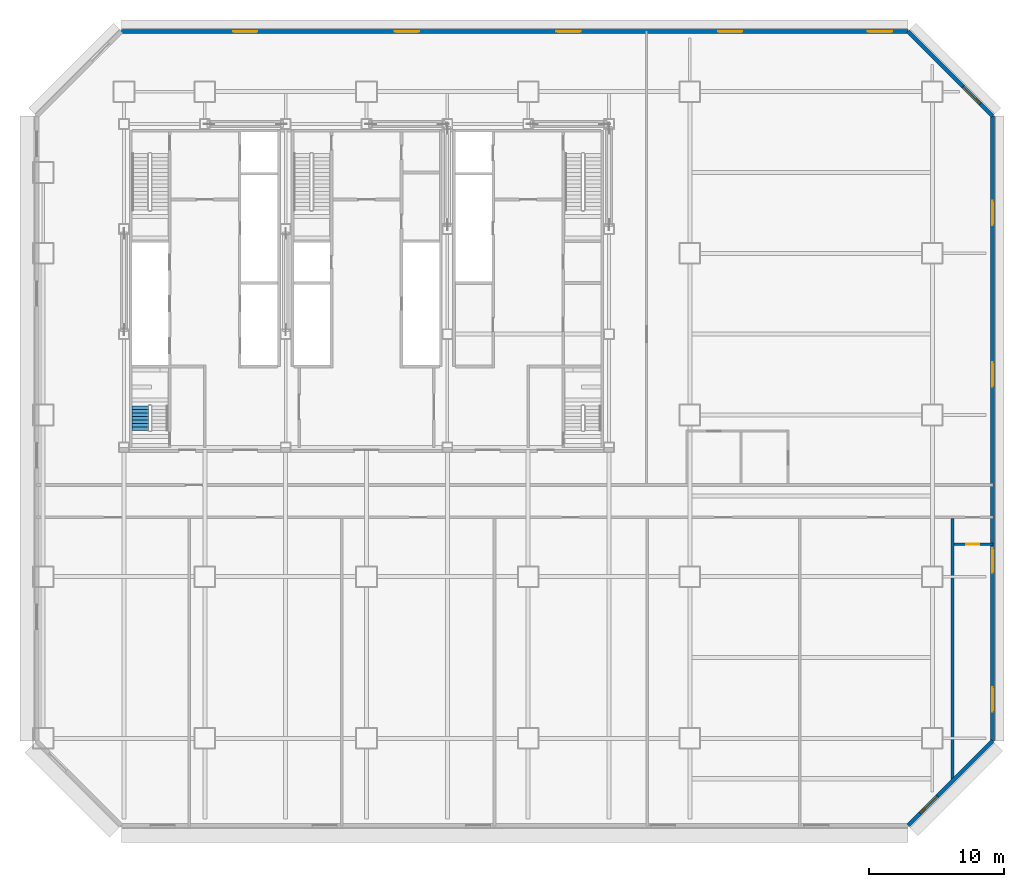
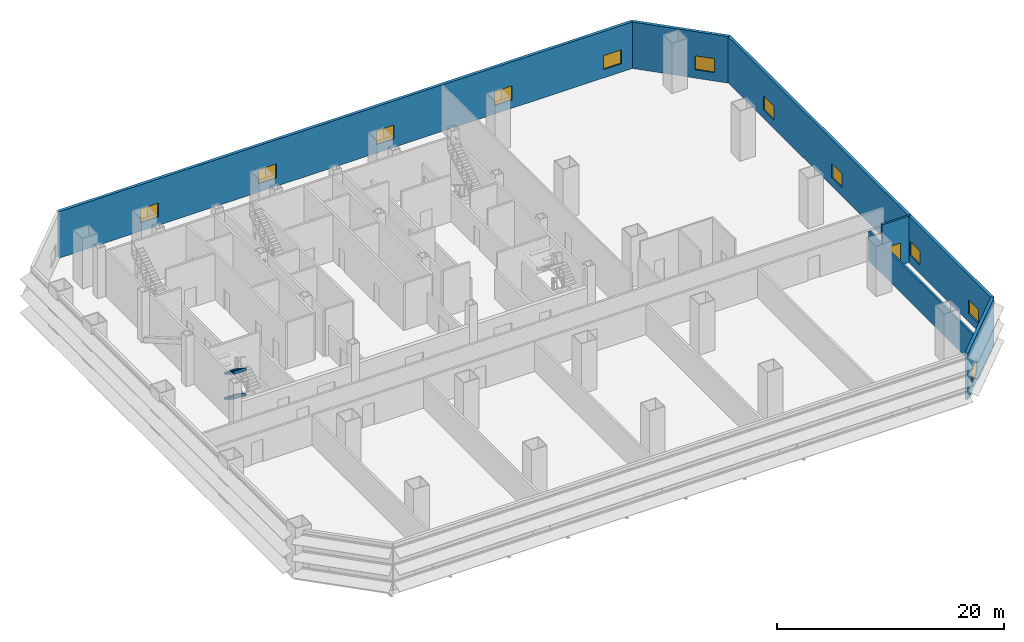
# One storey, part 6 of 10: 11 windows, 6 walls, 2 stair flights, 1 door, 12 openings, 1 element without a shape of its own.
"""IFC4 building model written with IfcOpenShell, lengths in metres."""

from ifc_helpers import new_model, si_unit, direction, frame, frame_2d, origin, place, context, subcontext, project, spatial, polyline, rectangle, outline, extrude, material, layer, layer_set, type_object, element, fill, aggregate, save


model = new_model("IFC4")

# Units and contexts
model_context = context("Model", 3, precision=1e-05, world=origin(), true_north=direction((0.0, 1.0)))
body_context = subcontext(model_context, "Body", "Model", "MODEL_VIEW")
ifc_project = project(units=[si_unit("LENGTHUNIT", "METRE"), si_unit("AREAUNIT", "SQUARE_METRE"), si_unit("VOLUMEUNIT", "CUBIC_METRE"), si_unit("PLANEANGLEUNIT", "RADIAN"), si_unit("MASSUNIT", "GRAM", prefix="KILO")], contexts=[model_context])

# Site, building, storey
site_placement = place(None, origin())
site = spatial("IfcSite", under=ifc_project, at=site_placement, CompositionType="ELEMENT")
building_placement = place(site_placement, origin())
building = spatial("IfcBuilding", under=site, at=building_placement, Name="Sorahane Residences", CompositionType="ELEMENT")
storey_placement = place(building_placement, frame((0.0, 0.0, 15.0)))
storey = spatial("IfcBuildingStorey", under=building, at=storey_placement, Name="L01", CompositionType="ELEMENT", Elevation=15.0)

# Wall, opening, window
ifc_material_1 = material(Name="Graphite insulated metal-clad wall")
ifc_layer_1 = layer(ifc_material_1, 0.300048828125)
ifc_layer_set_1 = layer_set([ifc_layer_1], Name="External wall insulated metal-clad 300")
wall_type_1 = type_object("IfcWallType", Name="External wall insulated metal-clad 300", PredefinedType="SOLIDWALL", material=ifc_layer_set_1)
wall_1_placement = place(storey_placement, frame((64.194580078125, -6.469970703125, 0.0), z_axis=(0.0, 0.0, 1.0), x_axis=(0.707106781187, 0.707106781187, 0.0)))
wall_1 = element("IfcWall", 1, at=wall_1_placement, inside=storey, type_object=wall_type_1, Name="External plant wall L01 SE1", PredefinedType="SOLIDWALL", context=body_context, shape_type="SweptSolid", body=[
    extrude(rectangle(XDim=8.874755859375, YDim=0.300048828125, at=frame_2d((4.4375, 0.0))), origin(), (0.0, 0.0, 1.0), 5.0),
])
opening_1_placement = place(wall_1_placement, frame((1.291748046875, 0.0, 0.89990234375)))
opening_1 = element("IfcOpeningElement", 2, at=opening_1_placement, cuts=wall_1, Name="Opening W-R1", PredefinedType="OPENING", context=body_context, shape_type="SweptSolid", body=[
    extrude(rectangle(XDim=1.800048828125, YDim=1.5, at=frame_2d((0.89990234375, 0.75))), frame((0.0, 0.159912109375, 0.0), z_axis=(0.0, -1.0, 0.0), x_axis=(1.0, 0.0, 0.0)), (0.0, 0.0, 1.0), 0.320068359375),
])
ifc_material_2 = material(Name="Dark aluminium and glass", Category="aluminium")
window_type = type_object("IfcWindowType", Name="Openable Class B fire window dark aluminium 1800x1500", PartitioningType="SINGLE_PANEL", PredefinedType="WINDOW", material=ifc_material_2)
window_1_placement = place(opening_1_placement, origin())
window_1 = element("IfcWindow", 3, at=window_1_placement, inside=storey, type_object=window_type, Name="Openable fire window L01 SE1.1", OverallHeight=1.5, OverallWidth=1.800048828125, PartitioningType="SINGLE_PANEL", PredefinedType="WINDOW", context=body_context, shape_type="SweptSolid", body=[
    extrude(rectangle(XDim=1.800048828125, YDim=1.5, at=frame_2d((0.89990234375, 0.75))), frame((0.0, 0.030029296875, 0.0), z_axis=(0.0, -1.0, 0.0), x_axis=(1.0, 0.0, 0.0)), (0.0, 0.0, 1.0), 0.06005859375),
])
fill(opening_1, window_1)

# Wall, openings, windows
wall_2_placement = place(storey_placement, frame((70.469970703125, -0.194580078125, 0.0), z_axis=(0.0, 0.0, 1.0), x_axis=(0.0, 1.0, 0.0)))
wall_2 = element("IfcWall", 4, at=wall_2_placement, inside=storey, type_object=wall_type_1, Name="External plant wall L01 E1", PredefinedType="SOLIDWALL", context=body_context, shape_type="SweptSolid", body=[
    extrude(rectangle(XDim=46.38916015625, YDim=0.300048828125, at=frame_2d((23.194580078125, 0.0))), origin(), (0.0, 0.0, 1.0), 5.0),
])
opening_2_placement = place(wall_2_placement, frame((2.17041015625, 0.0, 0.89990234375)))
opening_2 = element("IfcOpeningElement", 5, at=opening_2_placement, cuts=wall_2, Name="Opening W-R1", PredefinedType="OPENING", context=body_context, shape_type="SweptSolid", body=[
    extrude(rectangle(XDim=1.800048828125, YDim=1.5, at=frame_2d((0.89990234375, 0.75))), frame((0.0, 0.159912109375, 0.0), z_axis=(0.0, -1.0, 0.0), x_axis=(1.0, 0.0, 0.0)), (0.0, 0.0, 1.0), 0.320068359375),
])
opening_3_placement = place(wall_2_placement, frame((12.49462890625, 0.0, 0.89990234375)))
opening_3 = element("IfcOpeningElement", 6, at=opening_3_placement, cuts=wall_2, Name="Opening W-R1", PredefinedType="OPENING", context=body_context, shape_type="SweptSolid", body=[
    extrude(rectangle(XDim=1.800048828125, YDim=1.5, at=frame_2d((0.89990234375, 0.75))), frame((0.0, 0.159912109375, 0.0), z_axis=(0.0, -1.0, 0.0), x_axis=(1.0, 0.0, 0.0)), (0.0, 0.0, 1.0), 0.320068359375),
])
opening_4_placement = place(wall_2_placement, frame((26.294677734375, 0.0, 0.89990234375)))
opening_4 = element("IfcOpeningElement", 7, at=opening_4_placement, cuts=wall_2, Name="Opening W-R1", PredefinedType="OPENING", context=body_context, shape_type="SweptSolid", body=[
    extrude(rectangle(XDim=1.800048828125, YDim=1.5, at=frame_2d((0.89990234375, 0.75))), frame((0.0, 0.159912109375, 0.0), z_axis=(0.0, -1.0, 0.0), x_axis=(1.0, 0.0, 0.0)), (0.0, 0.0, 1.0), 0.320068359375),
])
opening_5_placement = place(wall_2_placement, frame((38.294677734375, 0.0, 0.89990234375)))
opening_5 = element("IfcOpeningElement", 8, at=opening_5_placement, cuts=wall_2, Name="Opening W-R1", PredefinedType="OPENING", context=body_context, shape_type="SweptSolid", body=[
    extrude(rectangle(XDim=1.800048828125, YDim=1.5, at=frame_2d((0.89990234375, 0.75))), frame((0.0, 0.159912109375, 0.0), z_axis=(0.0, -1.0, 0.0), x_axis=(1.0, 0.0, 0.0)), (0.0, 0.0, 1.0), 0.320068359375),
])
window_2_placement = place(opening_2_placement, origin())
window_2 = element("IfcWindow", 9, at=window_2_placement, inside=storey, type_object=window_type, Name="Openable fire window L01 E1.1", OverallHeight=1.5, OverallWidth=1.800048828125, PartitioningType="SINGLE_PANEL", PredefinedType="WINDOW", context=body_context, shape_type="SweptSolid", body=[
    extrude(rectangle(XDim=1.800048828125, YDim=1.5, at=frame_2d((0.89990234375, 0.75))), frame((0.0, 0.030029296875, 0.0), z_axis=(0.0, -1.0, 0.0), x_axis=(1.0, 0.0, 0.0)), (0.0, 0.0, 1.0), 0.06005859375),
])
fill(opening_2, window_2)
window_3_placement = place(opening_3_placement, origin())
window_3 = element("IfcWindow", 10, at=window_3_placement, inside=storey, type_object=window_type, Name="Openable fire window L01 E1.3", OverallHeight=1.5, OverallWidth=1.800048828125, PartitioningType="SINGLE_PANEL", PredefinedType="WINDOW", context=body_context, shape_type="SweptSolid", body=[
    extrude(rectangle(XDim=1.800048828125, YDim=1.5, at=frame_2d((0.89990234375, 0.75))), frame((0.0, 0.030029296875, 0.0), z_axis=(0.0, -1.0, 0.0), x_axis=(1.0, 0.0, 0.0)), (0.0, 0.0, 1.0), 0.06005859375),
])
fill(opening_3, window_3)
window_4_placement = place(opening_4_placement, origin())
window_4 = element("IfcWindow", 11, at=window_4_placement, inside=storey, type_object=window_type, Name="Openable fire window L01 E1.5", OverallHeight=1.5, OverallWidth=1.800048828125, PartitioningType="SINGLE_PANEL", PredefinedType="WINDOW", context=body_context, shape_type="SweptSolid", body=[
    extrude(rectangle(XDim=1.800048828125, YDim=1.5, at=frame_2d((0.89990234375, 0.75))), frame((0.0, 0.030029296875, 0.0), z_axis=(0.0, -1.0, 0.0), x_axis=(1.0, 0.0, 0.0)), (0.0, 0.0, 1.0), 0.06005859375),
])
fill(opening_4, window_4)
window_5_placement = place(opening_5_placement, origin())
window_5 = element("IfcWindow", 12, at=window_5_placement, inside=storey, type_object=window_type, Name="Openable fire window L01 E1.7", OverallHeight=1.5, OverallWidth=1.800048828125, PartitioningType="SINGLE_PANEL", PredefinedType="WINDOW", context=body_context, shape_type="SweptSolid", body=[
    extrude(rectangle(XDim=1.800048828125, YDim=1.5, at=frame_2d((0.89990234375, 0.75))), frame((0.0, 0.030029296875, 0.0), z_axis=(0.0, -1.0, 0.0), x_axis=(1.0, 0.0, 0.0)), (0.0, 0.0, 1.0), 0.06005859375),
])
fill(opening_5, window_5)

# Wall, opening, window
wall_3_placement = place(storey_placement, frame((70.469970703125, 46.194580078125, 0.0), z_axis=(0.0, 0.0, 1.0), x_axis=(-0.707106781187, 0.707106781187, 0.0)))
wall_3 = element("IfcWall", 13, at=wall_3_placement, inside=storey, type_object=wall_type_1, Name="External plant wall L01 NE1", PredefinedType="SOLIDWALL", context=body_context, shape_type="SweptSolid", body=[
    extrude(rectangle(XDim=8.874755859375, YDim=0.300048828125, at=frame_2d((4.4375, 0.0))), origin(), (0.0, 0.0, 1.0), 5.0),
])
opening_6_placement = place(wall_3_placement, frame((1.291748046875, 0.0, 0.89990234375)))
opening_6 = element("IfcOpeningElement", 14, at=opening_6_placement, cuts=wall_3, Name="Opening W-R1", PredefinedType="OPENING", context=body_context, shape_type="SweptSolid", body=[
    extrude(rectangle(XDim=1.800048828125, YDim=1.5, at=frame_2d((0.89990234375, 0.75))), frame((0.0, 0.159912109375, 0.0), z_axis=(0.0, -1.0, 0.0), x_axis=(1.0, 0.0, 0.0)), (0.0, 0.0, 1.0), 0.320068359375),
])
window_6_placement = place(opening_6_placement, origin())
window_6 = element("IfcWindow", 15, at=window_6_placement, inside=storey, type_object=window_type, Name="Openable fire window L01 NE1.1", OverallHeight=1.5, OverallWidth=1.800048828125, PartitioningType="SINGLE_PANEL", PredefinedType="WINDOW", context=body_context, shape_type="SweptSolid", body=[
    extrude(rectangle(XDim=1.800048828125, YDim=1.5, at=frame_2d((0.89990234375, 0.75))), frame((0.0, 0.030029296875, 0.0), z_axis=(0.0, -1.0, 0.0), x_axis=(1.0, 0.0, 0.0)), (0.0, 0.0, 1.0), 0.06005859375),
])
fill(opening_6, window_6)

# Wall, openings, windows
wall_4_placement = place(storey_placement, frame((64.194580078125, 52.469970703125, 0.0), z_axis=(0.0, 0.0, 1.0), x_axis=(-1.0, 0.0, 0.0)))
wall_4 = element("IfcWall", 16, at=wall_4_placement, inside=storey, type_object=wall_type_1, Name="External plant wall L01 N1", PredefinedType="SOLIDWALL", context=body_context, shape_type="SweptSolid", body=[
    extrude(rectangle(XDim=58.38916015625, YDim=0.300048828125, at=frame_2d((29.194580078125, 0.0))), origin(), (0.0, 0.0, 1.0), 5.0),
])
opening_7_placement = place(wall_4_placement, frame((1.17041015625, 0.0, 0.89990234375)))
opening_7 = element("IfcOpeningElement", 17, at=opening_7_placement, cuts=wall_4, Name="Opening W-R1", PredefinedType="OPENING", context=body_context, shape_type="SweptSolid", body=[
    extrude(rectangle(XDim=1.800048828125, YDim=1.5, at=frame_2d((0.89990234375, 0.75))), frame((0.0, 0.159912109375, 0.0), z_axis=(0.0, -1.0, 0.0), x_axis=(1.0, 0.0, 0.0)), (0.0, 0.0, 1.0), 0.320068359375),
])
opening_8_placement = place(wall_4_placement, frame((12.294677734375, 0.0, 0.89990234375)))
opening_8 = element("IfcOpeningElement", 18, at=opening_8_placement, cuts=wall_4, Name="Opening W-R1", PredefinedType="OPENING", context=body_context, shape_type="SweptSolid", body=[
    extrude(rectangle(XDim=1.800048828125, YDim=1.5, at=frame_2d((0.89990234375, 0.75))), frame((0.0, 0.159912109375, 0.0), z_axis=(0.0, -1.0, 0.0), x_axis=(1.0, 0.0, 0.0)), (0.0, 0.0, 1.0), 0.320068359375),
])
opening_9_placement = place(wall_4_placement, frame((24.294677734375, 0.0, 0.89990234375)))
opening_9 = element("IfcOpeningElement", 19, at=opening_9_placement, cuts=wall_4, Name="Opening W-R1", PredefinedType="OPENING", context=body_context, shape_type="SweptSolid", body=[
    extrude(rectangle(XDim=1.800048828125, YDim=1.5, at=frame_2d((0.89990234375, 0.75))), frame((0.0, 0.159912109375, 0.0), z_axis=(0.0, -1.0, 0.0), x_axis=(1.0, 0.0, 0.0)), (0.0, 0.0, 1.0), 0.320068359375),
])
opening_10_placement = place(wall_4_placement, frame((36.294677734375, 0.0, 0.89990234375)))
opening_10 = element("IfcOpeningElement", 20, at=opening_10_placement, cuts=wall_4, Name="Opening W-R1", PredefinedType="OPENING", context=body_context, shape_type="SweptSolid", body=[
    extrude(rectangle(XDim=1.800048828125, YDim=1.5, at=frame_2d((0.89990234375, 0.75))), frame((0.0, 0.159912109375, 0.0), z_axis=(0.0, -1.0, 0.0), x_axis=(1.0, 0.0, 0.0)), (0.0, 0.0, 1.0), 0.320068359375),
])
opening_11_placement = place(wall_4_placement, frame((48.294677734375, 0.0, 0.89990234375)))
opening_11 = element("IfcOpeningElement", 21, at=opening_11_placement, cuts=wall_4, Name="Opening W-R1", PredefinedType="OPENING", context=body_context, shape_type="SweptSolid", body=[
    extrude(rectangle(XDim=1.800048828125, YDim=1.5, at=frame_2d((0.89990234375, 0.75))), frame((0.0, 0.159912109375, 0.0), z_axis=(0.0, -1.0, 0.0), x_axis=(1.0, 0.0, 0.0)), (0.0, 0.0, 1.0), 0.320068359375),
])
window_7_placement = place(opening_7_placement, origin())
window_7 = element("IfcWindow", 22, at=window_7_placement, inside=storey, type_object=window_type, Name="Openable fire window L01 N1.1", OverallHeight=1.5, OverallWidth=1.800048828125, PartitioningType="SINGLE_PANEL", PredefinedType="WINDOW", context=body_context, shape_type="SweptSolid", body=[
    extrude(rectangle(XDim=1.800048828125, YDim=1.5, at=frame_2d((0.89990234375, 0.75))), frame((0.0, 0.030029296875, 0.0), z_axis=(0.0, -1.0, 0.0), x_axis=(1.0, 0.0, 0.0)), (0.0, 0.0, 1.0), 0.06005859375),
])
fill(opening_7, window_7)
window_8_placement = place(opening_8_placement, origin())
window_8 = element("IfcWindow", 23, at=window_8_placement, inside=storey, type_object=window_type, Name="Openable fire window L01 N1.3", OverallHeight=1.5, OverallWidth=1.800048828125, PartitioningType="SINGLE_PANEL", PredefinedType="WINDOW", context=body_context, shape_type="SweptSolid", body=[
    extrude(rectangle(XDim=1.800048828125, YDim=1.5, at=frame_2d((0.89990234375, 0.75))), frame((0.0, 0.030029296875, 0.0), z_axis=(0.0, -1.0, 0.0), x_axis=(1.0, 0.0, 0.0)), (0.0, 0.0, 1.0), 0.06005859375),
])
fill(opening_8, window_8)
window_9_placement = place(opening_9_placement, origin())
window_9 = element("IfcWindow", 24, at=window_9_placement, inside=storey, type_object=window_type, Name="Openable fire window L01 N1.5", OverallHeight=1.5, OverallWidth=1.800048828125, PartitioningType="SINGLE_PANEL", PredefinedType="WINDOW", context=body_context, shape_type="SweptSolid", body=[
    extrude(rectangle(XDim=1.800048828125, YDim=1.5, at=frame_2d((0.89990234375, 0.75))), frame((0.0, 0.030029296875, 0.0), z_axis=(0.0, -1.0, 0.0), x_axis=(1.0, 0.0, 0.0)), (0.0, 0.0, 1.0), 0.06005859375),
])
fill(opening_9, window_9)
window_10_placement = place(opening_10_placement, origin())
window_10 = element("IfcWindow", 25, at=window_10_placement, inside=storey, type_object=window_type, Name="Openable fire window L01 N1.7", OverallHeight=1.5, OverallWidth=1.800048828125, PartitioningType="SINGLE_PANEL", PredefinedType="WINDOW", context=body_context, shape_type="SweptSolid", body=[
    extrude(rectangle(XDim=1.800048828125, YDim=1.5, at=frame_2d((0.89990234375, 0.75))), frame((0.0, 0.030029296875, 0.0), z_axis=(0.0, -1.0, 0.0), x_axis=(1.0, 0.0, 0.0)), (0.0, 0.0, 1.0), 0.06005859375),
])
fill(opening_10, window_10)
window_11_placement = place(opening_11_placement, origin())
window_11 = element("IfcWindow", 26, at=window_11_placement, inside=storey, type_object=window_type, Name="Openable fire window L01 N1.9", OverallHeight=1.5, OverallWidth=1.800048828125, PartitioningType="SINGLE_PANEL", PredefinedType="WINDOW", context=body_context, shape_type="SweptSolid", body=[
    extrude(rectangle(XDim=1.800048828125, YDim=1.5, at=frame_2d((0.89990234375, 0.75))), frame((0.0, 0.030029296875, 0.0), z_axis=(0.0, -1.0, 0.0), x_axis=(1.0, 0.0, 0.0)), (0.0, 0.0, 1.0), 0.06005859375),
])
fill(opening_11, window_11)

# Wall
ifc_material_3 = material(Name="Concrete blockwork C20 wall", Category="masonry")
ifc_layer_2 = layer(ifc_material_3, 0.199951171875)
ifc_layer_set_2 = layer_set([ifc_layer_2], Name="Fire wall 200 EI 120")
wall_type_2 = type_object("IfcWallType", Name="Fire wall 200 EI 120", PredefinedType="SOLIDWALL", material=ifc_layer_set_2)
wall_5_placement = place(storey_placement, frame((67.5, -3.20703125, 0.0), z_axis=(0.0, 0.0, 1.0), x_axis=(0.0, 1.0, 0.0)))
element("IfcWall", 27, at=wall_5_placement, inside=storey, type_object=wall_type_2, Name="L01 fire wall", PredefinedType="SOLIDWALL", context=body_context, shape_type="SweptSolid", body=[
    extrude(rectangle(XDim=19.507080078125, YDim=0.199951171875, at=frame_2d((9.75341796875, 0.0))), origin(), (0.0, 0.0, 1.0), 3.199951171875),
])

# Wall, opening, door
wall_6_placement = place(storey_placement, frame((67.60009765625, 14.39990234375, 0.0), z_axis=(0.0, 0.0, 1.0), x_axis=(1.0, 0.0, 0.0)))
wall_6 = element("IfcWall", 28, at=wall_6_placement, inside=storey, type_object=wall_type_2, Name="L01 fire wall", PredefinedType="SOLIDWALL", context=body_context, shape_type="SweptSolid", body=[
    extrude(rectangle(XDim=2.89990234375, YDim=0.199951171875, at=frame_2d((1.449951171875, 0.0))), origin(), (0.0, 0.0, 1.0), 5.0),
])
opening_12_placement = place(wall_6_placement, frame((0.89990234375, 0.0, 0.0)))
opening_12 = element("IfcOpeningElement", 29, at=opening_12_placement, cuts=wall_6, Name="Opening L01-11", PredefinedType="OPENING", context=body_context, shape_type="SweptSolid", body=[
    extrude(rectangle(XDim=1.0, YDim=2.39990234375, at=frame_2d((0.5, 1.199951171875))), frame((0.0, 0.10986328125, 0.0), z_axis=(0.0, -1.0, 0.0), x_axis=(1.0, 0.0, 0.0)), (0.0, 0.0, 1.0), 0.219970703125),
])
ifc_material_4 = material(Name="Steel", Category="steel")
door_type = type_object("IfcDoorType", Name="Fire door 1000x2400 FD60", OperationType="NOTDEFINED", PredefinedType="DOOR", material=ifc_material_4)
door_placement = place(opening_12_placement, frame((1.0, 0.0, 0.0), z_axis=(0.0, 0.0, 1.0), x_axis=(-1.0, 0.0, 0.0)))
door = element("IfcDoor", 30, at=door_placement, inside=storey, type_object=door_type, Name="Fire door L01-11", OperationType="SINGLE_SWING_RIGHT", OverallHeight=2.39990234375, OverallWidth=1.0, PredefinedType="DOOR", context=body_context, shape_type="SweptSolid", body=[
    extrude(rectangle(XDim=1.0, YDim=2.39990234375, at=frame_2d((0.5, 1.199951171875))), frame((0.0, 0.02490234375, 0.0), z_axis=(0.0, -1.0, 0.0), x_axis=(1.0, 0.0, 0.0)), (0.0, 0.0, 1.0), 0.050048828125),
])
fill(opening_12, door)

# Stair, stair flights
ifc_material_5 = material(Name="Concrete C40", Category="concrete")
stair_type = type_object("IfcStairType", Name="Dog-leg stair 1250 Concrete C40", PredefinedType="HALF_TURN_STAIR", material=ifc_material_5)
stair_placement = place(storey_placement, origin())
stair = element("IfcStair", 31, at=stair_placement, inside=storey, type_object=stair_type, Name="L01 Stair S4", PredefinedType="HALF_TURN_STAIR")
ifc_material_6 = material(Name="Concrete C40", Category="concrete")
stair_flight_type = type_object("IfcStairFlightType", Name="Stair flight 1250 Concrete C40", PredefinedType="STRAIGHT", material=ifc_material_6)
stair_flight_1_placement = place(storey_placement, frame((7.22509765625, 24.669921875, 1.35009765625), z_axis=(0.0, 0.0, 1.0), x_axis=(0.0, -1.0, 0.0)))
stair_flight_1 = element("IfcStairFlight", 32, at=stair_flight_1_placement, type_object=stair_flight_type, Name="S4 flight 2", NumberOfRisers=8, NumberOfTreads=7, PredefinedType="STRAIGHT", RiserHeight=0.16875, TreadLength=0.26, context=body_context, shape_type="SweptSolid", body=[
    extrude(outline(polyline([(0.0, 0.0), (0.0, 0.002197265625), (0.0, 0.004150390625), (0.0, 0.00634765625), (0.0, 0.00830078125), (0.0, 0.010498046875), (0.0, 0.012451171875), (0.0, 0.0146484375), (0.0, 0.0166015625), (0.0, 0.018798828125), (0.0, 0.020751953125), (0.0, 0.02294921875), (0.0, 0.02490234375), (0.0, 0.027099609375), (0.0, 0.029052734375), (0.0, 0.03125), (0.0, 0.033447265625), (0.0, 0.035400390625), (0.0, 0.03759765625), (0.0, 0.03955078125), (0.0, 0.041748046875), (0.0, 0.043701171875), (0.0, 0.0458984375), (0.0, 0.0478515625), (0.0, 0.050048828125), (0.0, 0.052001953125), (0.0, 0.05419921875), (0.0, 0.05615234375), (0.0, 0.058349609375), (0.0, 0.060302734375), (0.0, 0.0625), (0.0, 0.064697265625), (0.0, 0.066650390625), (0.0, 0.06884765625), (0.0, 0.07080078125), (0.0, 0.072998046875), (0.0, 0.074951171875), (0.0, 0.0771484375), (0.0, 0.0791015625), (0.0, 0.081298828125), (0.0, 0.083251953125), (0.0, 0.08544921875), (0.0, 0.08740234375), (0.0, 0.089599609375), (0.0, 0.091552734375), (0.0, 0.09375), (0.0, 0.095947265625), (0.0, 0.097900390625), (0.0, 0.10009765625), (0.0, 0.10205078125), (0.0, 0.104248046875), (0.0, 0.106201171875), (0.0, 0.1083984375), (0.0, 0.1103515625), (0.0, 0.112548828125), (0.0, 0.114501953125), (0.0, 0.11669921875), (0.0, 0.11865234375), (0.0, 0.120849609375), (0.0, 0.122802734375), (0.0, 0.125), (0.0, 0.127197265625), (0.0, 0.129150390625), (0.0, 0.13134765625), (0.0, 0.13330078125), (0.0, 0.135498046875), (0.0, 0.137451171875), (0.0, 0.1396484375), (0.0, 0.1416015625), (0.0, 0.143798828125), (0.0, 0.145751953125), (0.0, 0.14794921875), (0.0, 0.14990234375), (0.0, 0.152099609375), (0.0, 0.154052734375), (0.0, 0.15625), (0.0, 0.158447265625), (0.0, 0.160400390625), (0.0, 0.16259765625), (0.0, 0.16455078125), (0.0, 0.166748046875), (0.0, 0.168701171875), (0.260009765625, 0.168701171875), (0.260009765625, 0.33740234375), (0.52001953125, 0.33740234375), (0.52001953125, 0.50634765625), (0.780029296875, 0.50634765625), (0.780029296875, 0.675048828125), (1.0400390625, 0.675048828125), (1.0400390625, 0.84375), (1.300048828125, 0.84375), (1.300048828125, 1.012451171875), (1.56005859375, 1.012451171875), (1.56005859375, 1.18115234375), (1.820068359375, 1.18115234375), (1.820068359375, 1.35009765625), (1.820068359375, 1.34619140625), (1.820068359375, 1.34228515625), (1.820068359375, 1.33837890625), (1.820068359375, 1.334716796875), (1.820068359375, 1.330810546875), (1.820068359375, 1.326904296875), (1.820068359375, 1.322998046875), (1.820068359375, 1.319091796875), (1.820068359375, 1.3154296875), (1.820068359375, 1.3115234375), (1.820068359375, 1.3076171875), (1.820068359375, 1.3037109375), (1.820068359375, 1.300048828125), (1.820068359375, 1.296142578125), (1.820068359375, 1.292236328125), (1.820068359375, 1.288330078125), (1.820068359375, 1.284423828125), (1.820068359375, 1.28076171875), (1.820068359375, 1.27685546875), (1.820068359375, 1.27294921875), (1.820068359375, 1.26904296875), (1.820068359375, 1.265380859375), (1.820068359375, 1.261474609375), (1.820068359375, 1.257568359375), (1.820068359375, 1.253662109375), (1.820068359375, 1.249755859375), (1.820068359375, 1.24609375), (1.820068359375, 1.2421875), (1.820068359375, 1.23828125), (1.820068359375, 1.234375), (1.820068359375, 1.230712890625), (1.820068359375, 1.226806640625), (1.820068359375, 1.222900390625), (1.820068359375, 1.218994140625), (1.820068359375, 1.215087890625), (1.820068359375, 1.21142578125), (1.820068359375, 1.20751953125), (1.820068359375, 1.20361328125), (1.820068359375, 1.19970703125), (1.820068359375, 1.196044921875), (1.820068359375, 1.192138671875), (1.820068359375, 1.188232421875), (1.820068359375, 1.184326171875), (1.820068359375, 1.1806640625), (1.820068359375, 1.1767578125), (1.820068359375, 1.1728515625), (1.820068359375, 1.1689453125), (1.820068359375, 1.1650390625), (1.820068359375, 1.161376953125), (1.820068359375, 1.157470703125), (1.820068359375, 1.153564453125), (1.820068359375, 1.149658203125), (1.820068359375, 1.14599609375), (1.820068359375, 1.14208984375), (1.820068359375, 1.13818359375), (1.820068359375, 1.13427734375), (1.820068359375, 1.13037109375), (1.820068359375, 1.126708984375), (1.820068359375, 1.122802734375), (1.820068359375, 1.118896484375), (1.820068359375, 1.114990234375), (1.820068359375, 1.111328125), (1.820068359375, 1.107421875), (1.820068359375, 1.103515625), (1.820068359375, 1.099609375), (1.820068359375, 1.095703125), (1.820068359375, 1.092041015625), (1.820068359375, 1.088134765625), (1.820068359375, 1.084228515625), (1.820068359375, 1.080322265625), (1.820068359375, 1.07666015625), (1.820068359375, 1.07275390625), (1.820068359375, 1.06884765625), (1.820068359375, 1.06494140625), (1.820068359375, 1.061279296875), (1.820068359375, 1.057373046875), (1.820068359375, 1.053466796875), (1.820068359375, 1.049560546875), (1.820068359375, 1.045654296875), (1.820068359375, 1.0419921875), (1.820068359375, 1.0380859375), (1.6201171875, 0.908203125), (1.420166015625, 0.778564453125), (1.22021484375, 0.648681640625), (1.020263671875, 0.51904296875), (0.8203125, 0.38916015625), (0.620361328125, 0.259521484375), (0.420654296875, 0.129638671875), (0.220703125, 0.0), (0.0, 0.0)])), frame((0.0, 0.625, 0.0), z_axis=(0.0, -1.0, 0.0), x_axis=(1.0, 0.0, 0.0)), (0.0, 0.0, 1.0), 1.25),
])
stair_flight_2_placement = place(storey_placement, frame((7.22509765625, 24.669921875, 4.050048828125), z_axis=(0.0, 0.0, 1.0), x_axis=(0.0, -1.0, 0.0)))
stair_flight_2 = element("IfcStairFlight", 33, at=stair_flight_2_placement, type_object=stair_flight_type, Name="S4 flight 4", NumberOfRisers=8, NumberOfTreads=7, PredefinedType="STRAIGHT", RiserHeight=0.16875, TreadLength=0.26, context=body_context, shape_type="SweptSolid", body=[
    extrude(outline(polyline([(0.0, 0.0), (0.0, 0.002197265625), (0.0, 0.004150390625), (0.0, 0.00634765625), (0.0, 0.00830078125), (0.0, 0.010498046875), (0.0, 0.012451171875), (0.0, 0.0146484375), (0.0, 0.0166015625), (0.0, 0.018798828125), (0.0, 0.020751953125), (0.0, 0.02294921875), (0.0, 0.02490234375), (0.0, 0.027099609375), (0.0, 0.029052734375), (0.0, 0.03125), (0.0, 0.033447265625), (0.0, 0.035400390625), (0.0, 0.03759765625), (0.0, 0.03955078125), (0.0, 0.041748046875), (0.0, 0.043701171875), (0.0, 0.0458984375), (0.0, 0.0478515625), (0.0, 0.050048828125), (0.0, 0.052001953125), (0.0, 0.05419921875), (0.0, 0.05615234375), (0.0, 0.058349609375), (0.0, 0.060302734375), (0.0, 0.0625), (0.0, 0.064697265625), (0.0, 0.066650390625), (0.0, 0.06884765625), (0.0, 0.07080078125), (0.0, 0.072998046875), (0.0, 0.074951171875), (0.0, 0.0771484375), (0.0, 0.0791015625), (0.0, 0.081298828125), (0.0, 0.083251953125), (0.0, 0.08544921875), (0.0, 0.08740234375), (0.0, 0.089599609375), (0.0, 0.091552734375), (0.0, 0.09375), (0.0, 0.095947265625), (0.0, 0.097900390625), (0.0, 0.10009765625), (0.0, 0.10205078125), (0.0, 0.104248046875), (0.0, 0.106201171875), (0.0, 0.1083984375), (0.0, 0.1103515625), (0.0, 0.112548828125), (0.0, 0.114501953125), (0.0, 0.11669921875), (0.0, 0.11865234375), (0.0, 0.120849609375), (0.0, 0.122802734375), (0.0, 0.125), (0.0, 0.127197265625), (0.0, 0.129150390625), (0.0, 0.13134765625), (0.0, 0.13330078125), (0.0, 0.135498046875), (0.0, 0.137451171875), (0.0, 0.1396484375), (0.0, 0.1416015625), (0.0, 0.143798828125), (0.0, 0.145751953125), (0.0, 0.14794921875), (0.0, 0.14990234375), (0.0, 0.152099609375), (0.0, 0.154052734375), (0.0, 0.15625), (0.0, 0.158447265625), (0.0, 0.160400390625), (0.0, 0.16259765625), (0.0, 0.16455078125), (0.0, 0.166748046875), (0.0, 0.168701171875), (0.260009765625, 0.168701171875), (0.260009765625, 0.33740234375), (0.52001953125, 0.33740234375), (0.52001953125, 0.50634765625), (0.780029296875, 0.50634765625), (0.780029296875, 0.675048828125), (1.0400390625, 0.675048828125), (1.0400390625, 0.84375), (1.300048828125, 0.84375), (1.300048828125, 1.012451171875), (1.56005859375, 1.012451171875), (1.56005859375, 1.18115234375), (1.820068359375, 1.18115234375), (1.820068359375, 1.35009765625), (1.821533203125, 1.35009765625), (1.821533203125, 1.34619140625), (1.821533203125, 1.34228515625), (1.821533203125, 1.33837890625), (1.821533203125, 1.334716796875), (1.821533203125, 1.330810546875), (1.821533203125, 1.326904296875), (1.821533203125, 1.322998046875), (1.821533203125, 1.319091796875), (1.821533203125, 1.3154296875), (1.821533203125, 1.3115234375), (1.821533203125, 1.3076171875), (1.821533203125, 1.3037109375), (1.821533203125, 1.300048828125), (1.821533203125, 1.296142578125), (1.821533203125, 1.292236328125), (1.821533203125, 1.288330078125), (1.821533203125, 1.284423828125), (1.821533203125, 1.28076171875), (1.821533203125, 1.27685546875), (1.821533203125, 1.27294921875), (1.821533203125, 1.26904296875), (1.821533203125, 1.265380859375), (1.821533203125, 1.261474609375), (1.821533203125, 1.257568359375), (1.821533203125, 1.253662109375), (1.821533203125, 1.249755859375), (1.821533203125, 1.24609375), (1.821533203125, 1.2421875), (1.821533203125, 1.23828125), (1.821533203125, 1.234375), (1.821533203125, 1.230712890625), (1.821533203125, 1.226806640625), (1.821533203125, 1.222900390625), (1.821533203125, 1.218994140625), (1.821533203125, 1.215087890625), (1.821533203125, 1.21142578125), (1.821533203125, 1.20751953125), (1.821533203125, 1.20361328125), (1.821533203125, 1.19970703125), (1.821533203125, 1.196044921875), (1.821533203125, 1.192138671875), (1.821533203125, 1.188232421875), (1.821533203125, 1.184326171875), (1.821533203125, 1.1806640625), (1.821533203125, 1.1767578125), (1.821533203125, 1.1728515625), (1.821533203125, 1.1689453125), (1.821533203125, 1.1650390625), (1.821533203125, 1.161376953125), (1.821533203125, 1.157470703125), (1.821533203125, 1.153564453125), (1.821533203125, 1.149658203125), (1.821533203125, 1.14599609375), (1.821533203125, 1.14208984375), (1.821533203125, 1.13818359375), (1.821533203125, 1.13427734375), (1.821533203125, 1.13037109375), (1.821533203125, 1.126708984375), (1.821533203125, 1.122802734375), (1.821533203125, 1.118896484375), (1.821533203125, 1.114990234375), (1.821533203125, 1.111328125), (1.821533203125, 1.107421875), (1.821533203125, 1.103515625), (1.821533203125, 1.099609375), (1.821533203125, 1.095703125), (1.821533203125, 1.092041015625), (1.821533203125, 1.088134765625), (1.821533203125, 1.084228515625), (1.821533203125, 1.080322265625), (1.821533203125, 1.07666015625), (1.821533203125, 1.07275390625), (1.821533203125, 1.06884765625), (1.821533203125, 1.06494140625), (1.821533203125, 1.061279296875), (1.821533203125, 1.057373046875), (1.821533203125, 1.053466796875), (1.821533203125, 1.049560546875), (1.821533203125, 1.045654296875), (1.821533203125, 1.0419921875), (1.821533203125, 1.0380859375), (1.6435546875, 0.922607421875), (1.4658203125, 0.807373046875), (1.287841796875, 0.692138671875), (1.110107421875, 0.57666015625), (0.93212890625, 0.46142578125), (0.754150390625, 0.345947265625), (0.576416015625, 0.230712890625), (0.3984375, 0.115234375), (0.220703125, 0.0), (0.0, 0.0)])), frame((0.0, 0.625, 0.0), z_axis=(0.0, -1.0, 0.0), x_axis=(1.0, 0.0, 0.0)), (0.0, 0.0, 1.0), 1.25),
])
aggregate(stair, [stair_flight_1, stair_flight_2])

save(model, "model.ifc")
